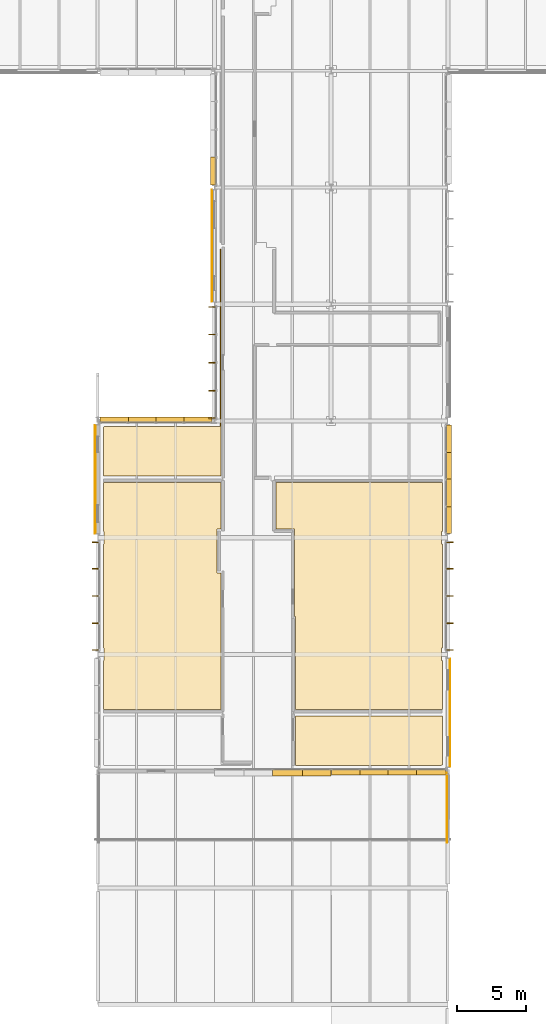
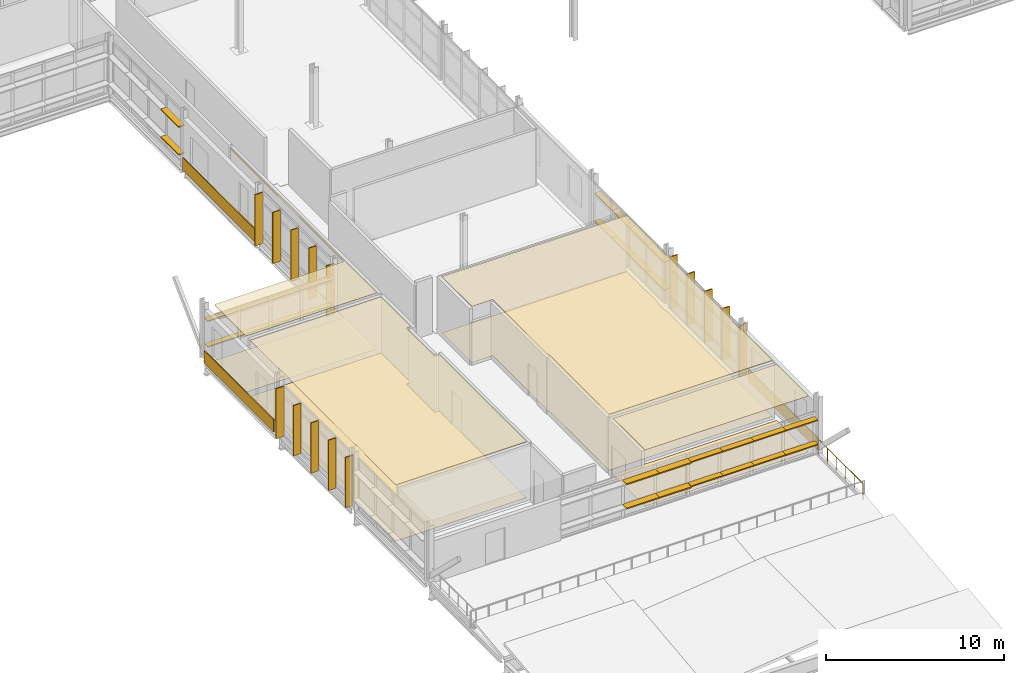
# One storey, part 96 of 103: 45 shading devices, 11 coverings, 1 railing.
"""IFC4 building model written with IfcOpenShell, lengths in metres."""

from ifc_helpers import new_model, si_unit, direction, frame, origin, origin_2d, place, context, subcontext, project, spatial, polyline, rectangle, circle, outline, extrude, material, layer, layer_set, type_object, element, save


model = new_model("IFC4")

# Units and contexts
model_context = context("Model", 3, precision=1e-05, world=origin(), true_north=direction((0.0, 1.0)))
body_context = subcontext(model_context, "Body", "Model", "MODEL_VIEW")
ifc_project = project(units=[si_unit("LENGTHUNIT", "METRE"), si_unit("AREAUNIT", "SQUARE_METRE"), si_unit("VOLUMEUNIT", "CUBIC_METRE"), si_unit("PLANEANGLEUNIT", "RADIAN"), si_unit("MASSUNIT", "GRAM", prefix="KILO")], contexts=[model_context])

# Site, building, storey
site_placement = place(None, origin())
site = spatial("IfcSite", under=ifc_project, at=site_placement, CompositionType="ELEMENT")
building_placement = place(site_placement, origin())
building = spatial("IfcBuilding", under=site, at=building_placement, Name="Mersafa Astral City Hall", CompositionType="ELEMENT")
storey_placement = place(building_placement, frame((0.0, 0.0, 18.0)))
storey = spatial("IfcBuildingStorey", under=building, at=storey_placement, Name="L04", CompositionType="ELEMENT", Elevation=18.0)

# Coverings
ifc_material_1 = material(Name="Cairo Mokattam buff limestone cladding", Category="masonry")
ifc_layer_1 = layer(ifc_material_1, 0.06005859375, Name="Cairo Mokattam buff limestone cladding")
ifc_layer_set_1 = layer_set([ifc_layer_1], Name="Cairo Mokattam buff limestone cladding — ENV-COV-LIMESTONE-60")
covering_type_1 = type_object("IfcCoveringType", Name="ENV-COV-LIMESTONE-60", PredefinedType="CLADDING", material=ifc_layer_set_1)
covering_1_placement = place(storey_placement, frame((100.623046875, 105.0, 0.0), z_axis=(0.0, 0.0, 1.0), x_axis=(0.0, -1.0, 0.0)))
element("IfcCovering", 1, at=covering_1_placement, inside=storey, type_object=covering_type_1, Name="L04 Cairo buff limestone rainscreen cladding 309", PredefinedType="CLADDING", context=body_context, shape_type="SweptSolid", body=[
    extrude(rectangle(XDim=8.048095703125, YDim=0.06005859375, at=origin_2d()), origin(), (0.0, 0.0, 1.0), 0.860107421875),
])
for number, where, z_axis, x_axis, name in (
    (2, (92.23046875, 88.199951171875, 0.0), (0.0, 0.0, 1.0), (0.0, -1.0, 0.0), "L04 Cairo buff limestone rainscreen cladding 310"),
    (3, (117.75439453125, 71.39990234375, 0.0), (0.0, 0.0, 1.0), (0.0, 1.0, 0.0), "L04 Cairo buff limestone rainscreen cladding 311"),
):
    element("IfcCovering", number, at=place(storey_placement, frame(where, z_axis=z_axis, x_axis=x_axis)), inside=storey, type_object=covering_type_1, Name=name, PredefinedType="CLADDING", context=body_context, shape_type="SweptSolid", body=[
        extrude(rectangle(XDim=7.798095703125, YDim=0.06005859375, at=origin_2d()), origin(), (0.0, 0.0, 1.0), 0.860107421875),
    ])

# Railing
ifc_material_2 = material(Name="Anodised bronze steel balustrade with laminated safety infill", Category="steel")
railing_type = type_object("IfcRailingType", Name="ENV-RAIL-TERRACE-1120", PredefinedType="BALUSTRADE", material=ifc_material_2)
railing_placement = place(storey_placement, frame((117.530029296875, 62.06005859375, 0.0)))
element("IfcRailing", 4, at=railing_placement, inside=storey, type_object=railing_type, Name="L04 Terrace perimeter guard balustrade 8", PredefinedType="BALUSTRADE", context=body_context, shape_type="SweptSolid", body=[
    extrude(circle(Radius=0.02392578125, at=origin_2d()), frame((0.0, 0.0, 1.09619140625), z_axis=(0.0, 1.0, 0.0), x_axis=(-1.0, 0.0, 0.0)), (0.0, 0.0, 1.0), 5.0),
    extrude(circle(Radius=0.02099609375, at=origin_2d()), origin(), (0.0, 0.0, 1.0), 1.072021484375),
    extrude(circle(Radius=0.02099609375, at=origin_2d()), frame((0.0, 1.0, 0.0)), (0.0, 0.0, 1.0), 1.072021484375),
    extrude(circle(Radius=0.02099609375, at=origin_2d()), frame((0.0, 2.0, 0.0)), (0.0, 0.0, 1.0), 1.072021484375),
    extrude(circle(Radius=0.02099609375, at=origin_2d()), frame((0.0, 3.0, 0.0)), (0.0, 0.0, 1.0), 1.072021484375),
    extrude(circle(Radius=0.02099609375, at=origin_2d()), frame((0.0, 4.0, 0.0)), (0.0, 0.0, 1.0), 1.072021484375),
    extrude(circle(Radius=0.02099609375, at=origin_2d()), frame((0.0, 5.0, 0.0)), (0.0, 0.0, 1.0), 1.072021484375),
])

# Shading devices
ifc_material_3 = material(Name="Anodised bronze aluminium solar fin", Category="aluminium")
shading_device_type_1 = type_object("IfcShadingDeviceType", Name="ENV-SHD-FIN-500A", PredefinedType="USERDEFINED", material=ifc_material_3)
for number, where, z_axis, x_axis, name in (
    (5, (100.655029296875, 100.60791015625, -0.01513671875), (0.0, 0.0, 1.0), (0.0, -1.0, 0.0), "L04 Vertical bronze solar fin 1321"),
    (6, (100.655029296875, 98.618896484375, -0.01513671875), (0.0, 0.0, 1.0), (0.0, -1.0, 0.0), "L04 Vertical bronze solar fin 1322"),
    (7, (100.655029296875, 96.60009765625, -0.01513671875), (0.0, 0.0, 1.0), (0.0, -1.0, 0.0), "L04 Vertical bronze solar fin 1323"),
    (8, (100.655029296875, 94.5810546875, -0.01513671875), (0.0, 0.0, 1.0), (0.0, -1.0, 0.0), "L04 Vertical bronze solar fin 1324"),
    (9, (100.655029296875, 92.592041015625, -0.01513671875), (0.0, 0.0, 1.0), (0.0, -1.0, 0.0), "L04 Vertical bronze solar fin 1325"),
):
    element("IfcShadingDevice", number, at=place(storey_placement, frame(where, z_axis=z_axis, x_axis=x_axis)), inside=storey, type_object=shading_device_type_1, Name=name, ObjectType="FIN", PredefinedType="USERDEFINED", context=body_context, shape_type="SweptSolid", body=[
        extrude(rectangle(XDim=0.06005859375, YDim=0.5, at=origin_2d()), origin(), (0.0, 0.0, 1.0), 3.511962890625),
    ])
for number, where, z_axis, x_axis, name in (
    (10, (92.2548828125, 83.68310546875, -0.014892578125), (0.0, 0.0, 1.0), (0.0, -1.0, 0.0), "L04 Vertical bronze solar fin 1334"),
    (11, (92.2548828125, 81.756591796875, -0.014892578125), (0.0, 0.0, 1.0), (0.0, -1.0, 0.0), "L04 Vertical bronze solar fin 1335"),
    (12, (92.2548828125, 79.800048828125, -0.014892578125), (0.0, 0.0, 1.0), (0.0, -1.0, 0.0), "L04 Vertical bronze solar fin 1336"),
    (13, (92.2548828125, 77.843505859375, -0.014892578125), (0.0, 0.0, 1.0), (0.0, -1.0, 0.0), "L04 Vertical bronze solar fin 1337"),
    (14, (92.2548828125, 75.9169921875, -0.014892578125), (0.0, 0.0, 1.0), (0.0, -1.0, 0.0), "L04 Vertical bronze solar fin 1338"),
):
    element("IfcShadingDevice", number, at=place(storey_placement, frame(where, z_axis=z_axis, x_axis=x_axis)), inside=storey, type_object=shading_device_type_1, Name=name, ObjectType="FIN", PredefinedType="USERDEFINED", context=body_context, shape_type="SweptSolid", body=[
        extrude(rectangle(XDim=0.06005859375, YDim=0.5, at=origin_2d()), origin(), (0.0, 0.0, 1.0), 3.44189453125),
    ])
for number, where, z_axis, x_axis, name in (
    (15, (117.7451171875, 75.9169921875, -0.01513671875), (0.0, 0.0, 1.0), (0.0, 1.0, 0.0), "L04 Vertical bronze solar fin 1363"),
    (16, (117.7451171875, 77.843505859375, -0.01513671875), (0.0, 0.0, 1.0), (0.0, 1.0, 0.0), "L04 Vertical bronze solar fin 1364"),
    (17, (117.7451171875, 79.800048828125, -0.01513671875), (0.0, 0.0, 1.0), (0.0, 1.0, 0.0), "L04 Vertical bronze solar fin 1365"),
    (18, (117.7451171875, 81.756591796875, -0.01513671875), (0.0, 0.0, 1.0), (0.0, 1.0, 0.0), "L04 Vertical bronze solar fin 1366"),
    (19, (117.7451171875, 83.68310546875, -0.01513671875), (0.0, 0.0, 1.0), (0.0, 1.0, 0.0), "L04 Vertical bronze solar fin 1367"),
):
    element("IfcShadingDevice", number, at=place(storey_placement, frame(where, z_axis=z_axis, x_axis=x_axis)), inside=storey, type_object=shading_device_type_1, Name=name, ObjectType="FIN", PredefinedType="USERDEFINED", context=body_context, shape_type="SweptSolid", body=[
        extrude(rectangle(XDim=0.06005859375, YDim=0.5, at=origin_2d()), origin(), (0.0, 0.0, 1.0), 3.531982421875),
    ])
ifc_material_4 = material(Name="Kiln-dried cedar timber brise-soleil blade", Category="wood")
shading_device_type_2 = type_object("IfcShadingDeviceType", Name="ENV-SHD-LOUVRE-380", PredefinedType="JALOUSIE", material=ifc_material_4)
for number, where, z_axis, x_axis, name in (
    (20, (100.719970703125, 110.380126953125, 0.81494140625), (0.0, 0.0, 1.0), (0.0, -1.0, 0.0), "L04 Horizontal cedar brise-soleil louvre 1316"),
    (21, (100.719970703125, 110.380126953125, 2.71484375), (0.0, 0.0, 1.0), (0.0, -1.0, 0.0), "L04 Horizontal cedar brise-soleil louvre 1320"),
):
    element("IfcShadingDevice", number, at=place(storey_placement, frame(where, z_axis=z_axis, x_axis=x_axis)), inside=storey, type_object=shading_device_type_2, Name=name, PredefinedType="JALOUSIE", context=body_context, shape_type="SweptSolid", body=[
        extrude(rectangle(XDim=2.0166015625, YDim=0.3798828125, at=origin_2d()), origin(), (0.0, 0.0, 1.0), 0.070068359375),
    ])
shading_device_1_placement = place(storey_placement, frame((99.613525390625, 92.47998046875, 0.81494140625), z_axis=(0.0, 0.0, 1.0), x_axis=(-1.0, 0.0, 0.0)))
element("IfcShadingDevice", 22, at=shading_device_1_placement, inside=storey, type_object=shading_device_type_2, Name="L04 Horizontal cedar brise-soleil louvre 1326", PredefinedType="JALOUSIE", context=body_context, shape_type="SweptSolid", body=[
    extrude(rectangle(XDim=2.029052734375, YDim=0.3798828125, at=origin_2d()), origin(), (0.0, 0.0, 1.0), 0.070068359375),
])
for number, where, z_axis, x_axis, name in (
    (23, (97.609619140625, 92.47998046875, 0.81494140625), (0.0, 0.0, 1.0), (-1.0, 0.0, 0.0), "L04 Horizontal cedar brise-soleil louvre 1327"),
    (24, (95.590576171875, 92.47998046875, 0.81494140625), (0.0, 0.0, 1.0), (-1.0, 0.0, 0.0), "L04 Horizontal cedar brise-soleil louvre 1328"),
):
    element("IfcShadingDevice", number, at=place(storey_placement, frame(where, z_axis=z_axis, x_axis=x_axis)), inside=storey, type_object=shading_device_type_2, Name=name, PredefinedType="JALOUSIE", context=body_context, shape_type="SweptSolid", body=[
        extrude(rectangle(XDim=2.05908203125, YDim=0.3798828125, at=origin_2d()), origin(), (0.0, 0.0, 1.0), 0.070068359375),
    ])
for number, where, z_axis, x_axis, name in (
    (25, (93.58642578125, 92.47998046875, 0.81494140625), (0.0, 0.0, 1.0), (-1.0, 0.0, 0.0), "L04 Horizontal cedar brise-soleil louvre 1329"),
    (26, (99.613525390625, 92.47998046875, 2.56201171875), (0.0, 0.0, 1.0), (-1.0, 0.0, 0.0), "L04 Horizontal cedar brise-soleil louvre 1330"),
):
    element("IfcShadingDevice", number, at=place(storey_placement, frame(where, z_axis=z_axis, x_axis=x_axis)), inside=storey, type_object=shading_device_type_2, Name=name, PredefinedType="JALOUSIE", context=body_context, shape_type="SweptSolid", body=[
        extrude(rectangle(XDim=2.029052734375, YDim=0.3798828125, at=origin_2d()), origin(), (0.0, 0.0, 1.0), 0.070068359375),
    ])
for number, where, z_axis, x_axis, name in (
    (27, (97.609619140625, 92.47998046875, 2.56201171875), (0.0, 0.0, 1.0), (-1.0, 0.0, 0.0), "L04 Horizontal cedar brise-soleil louvre 1331"),
    (28, (95.590576171875, 92.47998046875, 2.56201171875), (0.0, 0.0, 1.0), (-1.0, 0.0, 0.0), "L04 Horizontal cedar brise-soleil louvre 1332"),
):
    element("IfcShadingDevice", number, at=place(storey_placement, frame(where, z_axis=z_axis, x_axis=x_axis)), inside=storey, type_object=shading_device_type_2, Name=name, PredefinedType="JALOUSIE", context=body_context, shape_type="SweptSolid", body=[
        extrude(rectangle(XDim=2.05908203125, YDim=0.3798828125, at=origin_2d()), origin(), (0.0, 0.0, 1.0), 0.070068359375),
    ])
shading_device_2_placement = place(storey_placement, frame((93.58642578125, 92.47998046875, 2.56201171875), z_axis=(0.0, 0.0, 1.0), x_axis=(-1.0, 0.0, 0.0)))
element("IfcShadingDevice", 29, at=shading_device_2_placement, inside=storey, type_object=shading_device_type_2, Name="L04 Horizontal cedar brise-soleil louvre 1333", PredefinedType="JALOUSIE", context=body_context, shape_type="SweptSolid", body=[
    extrude(rectangle(XDim=2.029052734375, YDim=0.3798828125, at=origin_2d()), origin(), (0.0, 0.0, 1.0), 0.070068359375),
])
shading_device_3_placement = place(storey_placement, frame((110.24462890625, 67.1201171875, 0.81494140625), z_axis=(0.0, 0.0, 1.0), x_axis=(1.0, 0.0, 0.0)))
element("IfcShadingDevice", 30, at=shading_device_3_placement, inside=storey, type_object=shading_device_type_2, Name="L04 Horizontal cedar brise-soleil louvre 1355", PredefinedType="JALOUSIE", context=body_context, shape_type="SweptSolid", body=[
    extrude(rectangle(XDim=2.069580078125, YDim=0.3798828125, at=origin_2d()), origin(), (0.0, 0.0, 1.0), 0.070068359375),
])
for number, where, z_axis, x_axis, name in (
    (31, (112.289306640625, 67.1201171875, 0.81494140625), (0.0, 0.0, 1.0), (1.0, 0.0, 0.0), "L04 Horizontal cedar brise-soleil louvre 1356"),
    (32, (114.3486328125, 67.1201171875, 0.81494140625), (0.0, 0.0, 1.0), (1.0, 0.0, 0.0), "L04 Horizontal cedar brise-soleil louvre 1357"),
):
    element("IfcShadingDevice", number, at=place(storey_placement, frame(where, z_axis=z_axis, x_axis=x_axis)), inside=storey, type_object=shading_device_type_2, Name=name, PredefinedType="JALOUSIE", context=body_context, shape_type="SweptSolid", body=[
        extrude(rectangle(XDim=2.099609375, YDim=0.3798828125, at=origin_2d()), origin(), (0.0, 0.0, 1.0), 0.070068359375),
    ])
for number, where, z_axis, x_axis, name in (
    (33, (116.393310546875, 67.1201171875, 0.81494140625), (0.0, 0.0, 1.0), (1.0, 0.0, 0.0), "L04 Horizontal cedar brise-soleil louvre 1358"),
    (34, (110.24462890625, 67.1201171875, 2.48193359375), (0.0, 0.0, 1.0), (1.0, 0.0, 0.0), "L04 Horizontal cedar brise-soleil louvre 1359"),
):
    element("IfcShadingDevice", number, at=place(storey_placement, frame(where, z_axis=z_axis, x_axis=x_axis)), inside=storey, type_object=shading_device_type_2, Name=name, PredefinedType="JALOUSIE", context=body_context, shape_type="SweptSolid", body=[
        extrude(rectangle(XDim=2.069580078125, YDim=0.3798828125, at=origin_2d()), origin(), (0.0, 0.0, 1.0), 0.070068359375),
    ])
for number, where, z_axis, x_axis, name in (
    (35, (112.289306640625, 67.1201171875, 2.48193359375), (0.0, 0.0, 1.0), (1.0, 0.0, 0.0), "L04 Horizontal cedar brise-soleil louvre 1360"),
    (36, (114.3486328125, 67.1201171875, 2.48193359375), (0.0, 0.0, 1.0), (1.0, 0.0, 0.0), "L04 Horizontal cedar brise-soleil louvre 1361"),
):
    element("IfcShadingDevice", number, at=place(storey_placement, frame(where, z_axis=z_axis, x_axis=x_axis)), inside=storey, type_object=shading_device_type_2, Name=name, PredefinedType="JALOUSIE", context=body_context, shape_type="SweptSolid", body=[
        extrude(rectangle(XDim=2.099609375, YDim=0.3798828125, at=origin_2d()), origin(), (0.0, 0.0, 1.0), 0.070068359375),
    ])
shading_device_4_placement = place(storey_placement, frame((116.393310546875, 67.1201171875, 2.48193359375), z_axis=(0.0, 0.0, 1.0), x_axis=(1.0, 0.0, 0.0)))
element("IfcShadingDevice", 37, at=shading_device_4_placement, inside=storey, type_object=shading_device_type_2, Name="L04 Horizontal cedar brise-soleil louvre 1362", PredefinedType="JALOUSIE", context=body_context, shape_type="SweptSolid", body=[
    extrude(rectangle(XDim=2.069580078125, YDim=0.3798828125, at=origin_2d()), origin(), (0.0, 0.0, 1.0), 0.070068359375),
])
shading_device_5_placement = place(storey_placement, frame((117.679931640625, 85.2802734375, 0.81494140625), z_axis=(0.0, 0.0, 1.0), x_axis=(0.0, 1.0, 0.0)))
element("IfcShadingDevice", 38, at=shading_device_5_placement, inside=storey, type_object=shading_device_type_2, Name="L04 Horizontal cedar brise-soleil louvre 1368", PredefinedType="JALOUSIE", context=body_context, shape_type="SweptSolid", body=[
    extrude(rectangle(XDim=1.966552734375, YDim=0.3798828125, at=origin_2d()), origin(), (0.0, 0.0, 1.0), 0.070068359375),
])
for number, where, z_axis, x_axis, name in (
    (39, (117.679931640625, 87.2216796875, 0.81494140625), (0.0, 0.0, 1.0), (0.0, 1.0, 0.0), "L04 Horizontal cedar brise-soleil louvre 1369"),
    (40, (117.679931640625, 89.17822265625, 0.81494140625), (0.0, 0.0, 1.0), (0.0, 1.0, 0.0), "L04 Horizontal cedar brise-soleil louvre 1370"),
):
    element("IfcShadingDevice", number, at=place(storey_placement, frame(where, z_axis=z_axis, x_axis=x_axis)), inside=storey, type_object=shading_device_type_2, Name=name, PredefinedType="JALOUSIE", context=body_context, shape_type="SweptSolid", body=[
        extrude(rectangle(XDim=1.99658203125, YDim=0.3798828125, at=origin_2d()), origin(), (0.0, 0.0, 1.0), 0.070068359375),
    ])
for number, where, z_axis, x_axis, name in (
    (41, (117.679931640625, 91.11962890625, 0.81494140625), (0.0, 0.0, 1.0), (0.0, 1.0, 0.0), "L04 Horizontal cedar brise-soleil louvre 1371"),
    (42, (117.679931640625, 85.2802734375, 2.71484375), (0.0, 0.0, 1.0), (0.0, 1.0, 0.0), "L04 Horizontal cedar brise-soleil louvre 1372"),
):
    element("IfcShadingDevice", number, at=place(storey_placement, frame(where, z_axis=z_axis, x_axis=x_axis)), inside=storey, type_object=shading_device_type_2, Name=name, PredefinedType="JALOUSIE", context=body_context, shape_type="SweptSolid", body=[
        extrude(rectangle(XDim=1.966552734375, YDim=0.3798828125, at=origin_2d()), origin(), (0.0, 0.0, 1.0), 0.070068359375),
    ])
for number, where, z_axis, x_axis, name in (
    (43, (117.679931640625, 87.2216796875, 2.71484375), (0.0, 0.0, 1.0), (0.0, 1.0, 0.0), "L04 Horizontal cedar brise-soleil louvre 1373"),
    (44, (117.679931640625, 89.17822265625, 2.71484375), (0.0, 0.0, 1.0), (0.0, 1.0, 0.0), "L04 Horizontal cedar brise-soleil louvre 1374"),
):
    element("IfcShadingDevice", number, at=place(storey_placement, frame(where, z_axis=z_axis, x_axis=x_axis)), inside=storey, type_object=shading_device_type_2, Name=name, PredefinedType="JALOUSIE", context=body_context, shape_type="SweptSolid", body=[
        extrude(rectangle(XDim=1.99658203125, YDim=0.3798828125, at=origin_2d()), origin(), (0.0, 0.0, 1.0), 0.070068359375),
    ])
shading_device_6_placement = place(storey_placement, frame((117.679931640625, 91.11962890625, 2.71484375), z_axis=(0.0, 0.0, 1.0), x_axis=(0.0, 1.0, 0.0)))
element("IfcShadingDevice", 45, at=shading_device_6_placement, inside=storey, type_object=shading_device_type_2, Name="L04 Horizontal cedar brise-soleil louvre 1375", PredefinedType="JALOUSIE", context=body_context, shape_type="SweptSolid", body=[
    extrude(rectangle(XDim=1.966552734375, YDim=0.3798828125, at=origin_2d()), origin(), (0.0, 0.0, 1.0), 0.070068359375),
])
shading_device_type_3 = type_object("IfcShadingDeviceType", Name="ENV-SHD-LOUVRE-450", PredefinedType="JALOUSIE", material=ifc_material_4)
shading_device_7_placement = place(storey_placement, frame((106.050048828125, 67.0849609375, 0.81005859375), z_axis=(0.0, 0.0, 1.0), x_axis=(1.0, 0.0, 0.0)))
element("IfcShadingDevice", 46, at=shading_device_7_placement, inside=storey, type_object=shading_device_type_3, Name="L04 Horizontal cedar brise-soleil louvre 1349", PredefinedType="JALOUSIE", context=body_context, shape_type="SweptSolid", body=[
    extrude(rectangle(XDim=2.139892578125, YDim=0.449951171875, at=origin_2d()), origin(), (0.0, 0.0, 1.0), 0.080078125),
])
shading_device_8_placement = place(storey_placement, frame((108.135009765625, 67.0849609375, 0.81005859375), z_axis=(0.0, 0.0, 1.0), x_axis=(1.0, 0.0, 0.0)))
element("IfcShadingDevice", 47, at=shading_device_8_placement, inside=storey, type_object=shading_device_type_3, Name="L04 Horizontal cedar brise-soleil louvre 1350", PredefinedType="JALOUSIE", context=body_context, shape_type="SweptSolid", body=[
    extrude(rectangle(XDim=2.110107421875, YDim=0.449951171875, at=origin_2d()), origin(), (0.0, 0.0, 1.0), 0.080078125),
])
shading_device_9_placement = place(storey_placement, frame((106.050048828125, 67.0849609375, 2.47705078125), z_axis=(0.0, 0.0, 1.0), x_axis=(1.0, 0.0, 0.0)))
element("IfcShadingDevice", 48, at=shading_device_9_placement, inside=storey, type_object=shading_device_type_3, Name="L04 Horizontal cedar brise-soleil louvre 1353", PredefinedType="JALOUSIE", context=body_context, shape_type="SweptSolid", body=[
    extrude(rectangle(XDim=2.139892578125, YDim=0.449951171875, at=origin_2d()), origin(), (0.0, 0.0, 1.0), 0.080078125),
])
shading_device_10_placement = place(storey_placement, frame((108.135009765625, 67.0849609375, 2.47705078125), z_axis=(0.0, 0.0, 1.0), x_axis=(1.0, 0.0, 0.0)))
element("IfcShadingDevice", 49, at=shading_device_10_placement, inside=storey, type_object=shading_device_type_3, Name="L04 Horizontal cedar brise-soleil louvre 1354", PredefinedType="JALOUSIE", context=body_context, shape_type="SweptSolid", body=[
    extrude(rectangle(XDim=2.110107421875, YDim=0.449951171875, at=origin_2d()), origin(), (0.0, 0.0, 1.0), 0.080078125),
])

# Coverings
ifc_material_5 = material(Name="Perforated acoustic gypsum board ceiling", Category="gypsum")
ifc_layer_2 = layer(ifc_material_5, 0.02490234375, Name="Perforated acoustic gypsum board ceiling")
ifc_layer_set_2 = layer_set([ifc_layer_2], Name="Perforated acoustic gypsum board ceiling — INT-COV-CEIL-25")
covering_type_2 = type_object("IfcCoveringType", Name="INT-COV-CEIL-25", PredefinedType="CEILING", material=ifc_layer_set_2)
covering_2_placement = place(storey_placement, frame((0.0, 0.0, 3.8310546875)))
element("IfcCovering", 50, at=covering_2_placement, inside=storey, type_object=covering_type_2, Name="L04 Social Services Directorate Office L04-01 acoustic ceiling", PredefinedType="CEILING", context=body_context, shape_type="SweptSolid", body=[
    extrude(outline(polyline([(106.570068359375, 84.610107421875), (105.22998046875, 84.610107421875), (105.22998046875, 87.969970703125), (117.199951171875, 87.969970703125), (117.199951171875, 84.445068359375), (117.155029296875, 84.445068359375), (117.155029296875, 83.554931640625), (117.199951171875, 83.554931640625), (117.199951171875, 76.044921875), (117.155029296875, 76.044921875), (117.155029296875, 75.155029296875), (117.199951171875, 75.155029296875), (117.199951171875, 71.6298828125), (106.6201171875, 71.6298828125), (106.6201171875, 78.320068359375), (106.570068359375, 78.320068359375), (106.570068359375, 84.610107421875)])), origin(), (0.0, 0.0, 1.0), 0.02490234375),
])
covering_3_placement = place(storey_placement, frame((0.0, 0.0, 3.8310546875)))
element("IfcCovering", 51, at=covering_3_placement, inside=storey, type_object=covering_type_2, Name="L04 Metropolitan Transport Planning Office L04-03 acoustic ceiling", PredefinedType="CEILING", context=body_context, shape_type="SweptSolid", body=[
    extrude(outline(polyline([(92.844970703125, 75.155029296875), (92.844970703125, 76.044921875), (92.800048828125, 76.044921875), (92.800048828125, 83.554931640625), (92.844970703125, 83.554931640625), (92.844970703125, 84.445068359375), (92.800048828125, 84.445068359375), (92.800048828125, 87.969970703125), (101.280029296875, 87.969970703125), (101.280029296875, 84.610107421875), (100.989990234375, 84.610107421875), (100.989990234375, 81.469970703125), (101.280029296875, 81.469970703125), (101.280029296875, 71.6298828125), (92.800048828125, 71.6298828125), (92.800048828125, 75.155029296875), (92.844970703125, 75.155029296875)])), origin(), (0.0, 0.0, 1.0), 0.02490234375),
])
covering_4_placement = place(storey_placement, frame((0.0, 0.0, 3.8310546875)))
element("IfcCovering", 52, at=covering_4_placement, inside=storey, type_object=covering_type_2, Name="L04 Municipal Audit & Compliance Office L04-07 acoustic ceiling", PredefinedType="CEILING", context=body_context, shape_type="SweptSolid", body=[
    extrude(outline(polyline([(106.6201171875, 71.169921875), (117.199951171875, 71.169921875), (117.199951171875, 67.64501953125), (117.155029296875, 67.64501953125), (117.155029296875, 67.60009765625), (106.6201171875, 67.60009765625), (106.6201171875, 71.169921875)])), origin(), (0.0, 0.0, 1.0), 0.02490234375),
])
covering_5_placement = place(storey_placement, frame((0.0, 0.0, 3.8310546875)))
element("IfcCovering", 53, at=covering_5_placement, inside=storey, type_object=covering_type_2, Name="L04 Metropolitan Transport Planning Office L04-11 acoustic ceiling", PredefinedType="CEILING", context=body_context, shape_type="SweptSolid", body=[
    extrude(outline(polyline([(92.844970703125, 91.955078125), (92.844970703125, 92.0), (101.199951171875, 92.0), (101.199951171875, 104.77001953125), (101.280029296875, 104.77001953125), (101.280029296875, 88.429931640625), (92.800048828125, 88.429931640625), (92.800048828125, 91.955078125), (92.844970703125, 91.955078125)])), origin(), (0.0, 0.0, 1.0), 0.02490234375),
])
ifc_material_6 = material(Name="Heavy-duty woven acoustic carpet tile", Category="finish")
ifc_layer_3 = layer(ifc_material_6, 0.014892578125, Name="Heavy-duty woven acoustic carpet tile")
ifc_layer_set_3 = layer_set([ifc_layer_3], Name="Heavy-duty woven acoustic carpet tile — INT-COV-FLR-15")
covering_type_3 = type_object("IfcCoveringType", Name="INT-COV-FLR-15", PredefinedType="FLOORING", material=ifc_layer_set_3)
covering_6_placement = place(storey_placement, frame((0.0, 0.0, -0.00146484375)))
element("IfcCovering", 54, at=covering_6_placement, inside=storey, type_object=covering_type_3, Name="L04 Social Services Directorate Office L04-01 architectural flooring", PredefinedType="FLOORING", context=body_context, shape_type="SweptSolid", body=[
    extrude(outline(polyline([(106.570068359375, 84.610107421875), (105.22998046875, 84.610107421875), (105.22998046875, 87.969970703125), (117.199951171875, 87.969970703125), (117.199951171875, 84.445068359375), (117.155029296875, 84.445068359375), (117.155029296875, 83.554931640625), (117.199951171875, 83.554931640625), (117.199951171875, 76.044921875), (117.155029296875, 76.044921875), (117.155029296875, 75.155029296875), (117.199951171875, 75.155029296875), (117.199951171875, 71.6298828125), (106.6201171875, 71.6298828125), (106.6201171875, 78.320068359375), (106.570068359375, 78.320068359375), (106.570068359375, 84.610107421875)])), origin(), (0.0, 0.0, 1.0), 0.014892578125),
])
covering_7_placement = place(storey_placement, frame((0.0, 0.0, -0.00146484375)))
element("IfcCovering", 55, at=covering_7_placement, inside=storey, type_object=covering_type_3, Name="L04 Metropolitan Transport Planning Office L04-03 architectural flooring", PredefinedType="FLOORING", context=body_context, shape_type="SweptSolid", body=[
    extrude(outline(polyline([(92.844970703125, 75.155029296875), (92.844970703125, 76.044921875), (92.800048828125, 76.044921875), (92.800048828125, 83.554931640625), (92.844970703125, 83.554931640625), (92.844970703125, 84.445068359375), (92.800048828125, 84.445068359375), (92.800048828125, 87.969970703125), (101.280029296875, 87.969970703125), (101.280029296875, 84.610107421875), (100.989990234375, 84.610107421875), (100.989990234375, 81.469970703125), (101.280029296875, 81.469970703125), (101.280029296875, 71.6298828125), (92.800048828125, 71.6298828125), (92.800048828125, 75.155029296875), (92.844970703125, 75.155029296875)])), origin(), (0.0, 0.0, 1.0), 0.014892578125),
])
covering_8_placement = place(storey_placement, frame((0.0, 0.0, -0.00146484375)))
element("IfcCovering", 56, at=covering_8_placement, inside=storey, type_object=covering_type_3, Name="L04 Municipal Audit & Compliance Office L04-07 architectural flooring", PredefinedType="FLOORING", context=body_context, shape_type="SweptSolid", body=[
    extrude(outline(polyline([(106.6201171875, 71.169921875), (117.199951171875, 71.169921875), (117.199951171875, 67.64501953125), (117.155029296875, 67.64501953125), (117.155029296875, 67.60009765625), (106.6201171875, 67.60009765625), (106.6201171875, 71.169921875)])), origin(), (0.0, 0.0, 1.0), 0.014892578125),
])
covering_9_placement = place(storey_placement, frame((0.0, 0.0, -0.00146484375)))
element("IfcCovering", 57, at=covering_9_placement, inside=storey, type_object=covering_type_3, Name="L04 Metropolitan Transport Planning Office L04-11 architectural flooring", PredefinedType="FLOORING", context=body_context, shape_type="SweptSolid", body=[
    extrude(outline(polyline([(92.844970703125, 91.955078125), (92.844970703125, 92.0), (101.199951171875, 92.0), (101.199951171875, 104.77001953125), (101.280029296875, 104.77001953125), (101.280029296875, 88.429931640625), (92.800048828125, 88.429931640625), (92.800048828125, 91.955078125), (92.844970703125, 91.955078125)])), origin(), (0.0, 0.0, 1.0), 0.014892578125),
])

save(model, "model.ifc")
